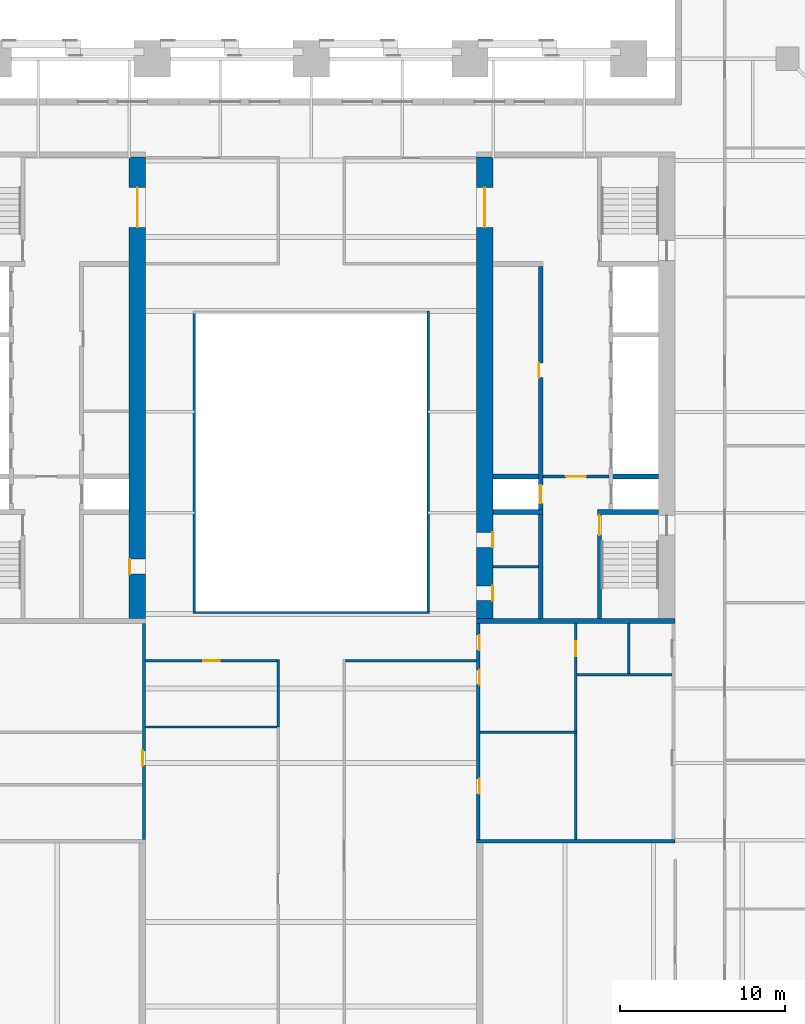
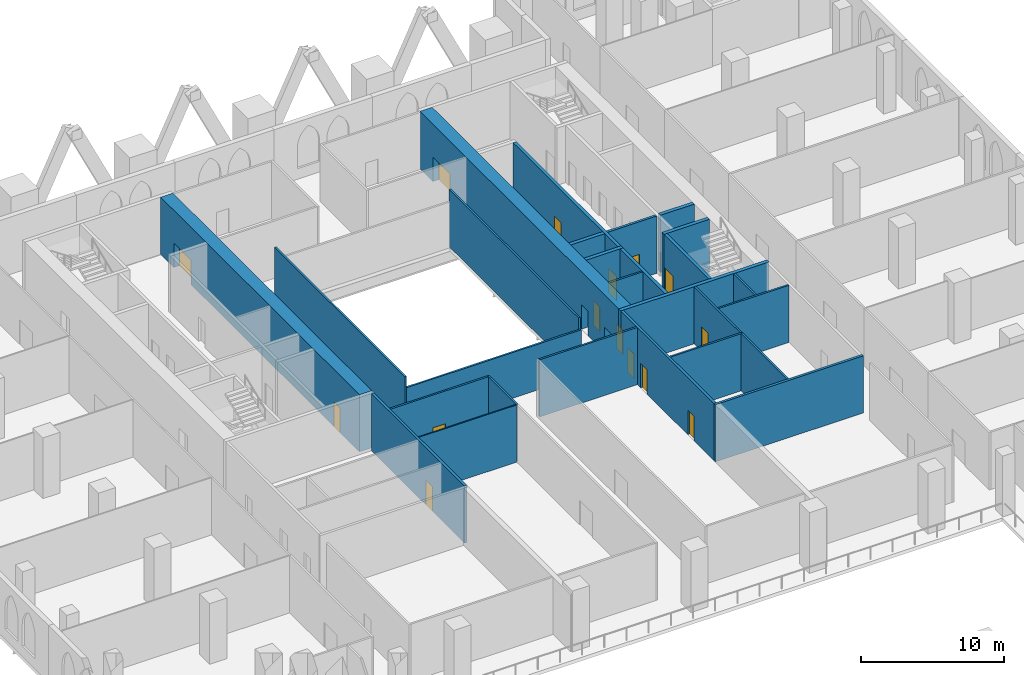
# One storey, part 12 of 22: 25 walls, 15 doors, 15 openings.
"""IFC4 building model written with IfcOpenShell, lengths in metres."""

from ifc_helpers import new_model, si_unit, direction, frame, frame_2d, origin, place, context, subcontext, project, spatial, rectangle, extrude, material, layer, layer_set, type_object, element, fill, save


model = new_model("IFC4")

# Units and contexts
model_context = context("Model", 3, precision=1e-05, world=origin(), true_north=direction((0.0, 1.0)))
body_context = subcontext(model_context, "Body", "Model", "MODEL_VIEW")
ifc_project = project(units=[si_unit("LENGTHUNIT", "METRE"), si_unit("AREAUNIT", "SQUARE_METRE"), si_unit("VOLUMEUNIT", "CUBIC_METRE"), si_unit("PLANEANGLEUNIT", "RADIAN"), si_unit("MASSUNIT", "GRAM", prefix="KILO")], contexts=[model_context])

# Site, building, storey
site_placement = place(None, origin())
site = spatial("IfcSite", under=ifc_project, at=site_placement, CompositionType="ELEMENT")
building_placement = place(site_placement, origin())
building = spatial("IfcBuilding", under=site, at=building_placement, Name="Ogive Exchange Tower", CompositionType="ELEMENT")
storey_placement = place(building_placement, frame((0.0, 0.0, 14.0)))
storey = spatial("IfcBuildingStorey", under=building, at=storey_placement, Name="L02", CompositionType="ELEMENT", Elevation=14.0)

# Wall
ifc_material_1 = material(Name="Gypsum board partition")
ifc_layer_1 = layer(ifc_material_1, 0.14990234375)
ifc_layer_set_1 = layer_set([ifc_layer_1], Name="Core room partition 150 gypsum")
wall_type_1 = type_object("IfcWallType", Name="Core room partition 150 gypsum", PredefinedType="PARTITIONING", material=ifc_layer_set_1)
wall_1_placement = place(storey_placement, frame((11.0, 0.699951171875, 0.0), z_axis=(0.0, 0.0, 1.0), x_axis=(1.0, 0.0, 0.0)))
element("IfcWall", 1, at=wall_1_placement, inside=storey, type_object=wall_type_1, Name="E south room partition", PredefinedType="PARTITIONING", context=body_context, shape_type="SweptSolid", body=[
    extrude(rectangle(XDim=2.75, YDim=0.14990234375, at=frame_2d((1.375, 0.0))), origin(), (0.0, 0.0, 1.0), 4.89990234375),
])

# Wall, opening, door
wall_2_placement = place(storey_placement, frame((16.0, -15.800048828125, 0.0), z_axis=(0.0, 0.0, 1.0), x_axis=(0.0, 1.0, 0.0)))
wall_2 = element("IfcWall", 2, at=wall_2_placement, inside=storey, type_object=wall_type_1, Name="E annex S column wall", PredefinedType="PARTITIONING", context=body_context, shape_type="SweptSolid", body=[
    extrude(rectangle(XDim=13.050048828125, YDim=0.14990234375, at=frame_2d((6.52490234375, 0.0))), origin(), (0.0, 0.0, 1.0), 4.89990234375),
])
opening_1_placement = place(wall_2_placement, frame((11.08740234375, 0.0, 0.0)))
opening_1 = element("IfcOpeningElement", 3, at=opening_1_placement, cuts=wall_2, Name="Opening L02-C41", PredefinedType="OPENING", context=body_context, shape_type="SweptSolid", body=[
    extrude(rectangle(XDim=0.89990234375, YDim=2.10009765625, at=frame_2d((0.449951171875, 1.050048828125))), frame((0.0, 0.0849609375, 0.0), z_axis=(0.0, -1.0, 0.0), x_axis=(1.0, 0.0, 0.0)), (0.0, 0.0, 1.0), 0.169921875),
])
ifc_material_2 = material(Name="Timber fire door", Category="wood")
door_type_1 = type_object("IfcDoorType", Name="Core room door FD30S 900 x 2100", OperationType="NOTDEFINED", PredefinedType="DOOR", material=ifc_material_2)
door_1_placement = place(opening_1_placement, frame((0.89990234375, 0.0, 0.0), z_axis=(0.0, 0.0, 1.0), x_axis=(-1.0, 0.0, 0.0)))
door_1 = element("IfcDoor", 4, at=door_1_placement, inside=storey, type_object=door_type_1, Name="Core room door", ObjectType="CD6", OperationType="SINGLE_SWING_RIGHT", OverallHeight=2.10009765625, OverallWidth=0.89990234375, PredefinedType="DOOR", context=body_context, shape_type="SweptSolid", body=[
    extrude(rectangle(XDim=0.89990234375, YDim=2.10009765625, at=frame_2d((0.449951171875, 1.050048828125))), frame((0.0, 0.02490234375, 0.0), z_axis=(0.0, -1.0, 0.0), x_axis=(1.0, 0.0, 0.0)), (0.0, 0.0, 1.0), 0.050048828125),
])
fill(opening_1, door_1)

# Walls
wall_3_placement = place(storey_placement, frame((10.199951171875, -9.300048828125, 0.0), z_axis=(0.0, 0.0, 1.0), x_axis=(1.0, 0.0, 0.0)))
element("IfcWall", 5, at=wall_3_placement, inside=storey, type_object=wall_type_1, Name="E annex S cross wall", PredefinedType="PARTITIONING", context=body_context, shape_type="SweptSolid", body=[
    extrude(rectangle(XDim=5.800048828125, YDim=0.14990234375, at=frame_2d((2.89990234375, 0.0))), origin(), (0.0, 0.0, 1.0), 4.89990234375),
])
wall_4_placement = place(storey_placement, frame((16.074951171875, -5.85009765625, 0.0), z_axis=(0.0, 0.0, 1.0), x_axis=(1.0, 0.0, 0.0)))
element("IfcWall", 6, at=wall_4_placement, inside=storey, type_object=wall_type_1, Name="E annex S wc strip wall 00", PredefinedType="PARTITIONING", context=body_context, shape_type="SweptSolid", body=[
    extrude(rectangle(XDim=5.72509765625, YDim=0.14990234375, at=frame_2d((2.862548828125, 0.0))), origin(), (0.0, 0.0, 1.0), 4.89990234375),
])
wall_5_placement = place(storey_placement, frame((19.199951171875, -5.77490234375, 0.0), z_axis=(0.0, 0.0, 1.0), x_axis=(0.0, 1.0, 0.0)))
element("IfcWall", 7, at=wall_5_placement, inside=storey, type_object=wall_type_1, Name="E annex S wc partition 00", PredefinedType="PARTITIONING", context=body_context, shape_type="SweptSolid", body=[
    extrude(rectangle(XDim=3.02490234375, YDim=0.14990234375, at=frame_2d((1.512451171875, 0.0))), origin(), (0.0, 0.0, 1.0), 4.89990234375),
])

# Wall, opening, door
ifc_material_3 = material(Name="Fire partition EI 60 150")
ifc_layer_2 = layer(ifc_material_3, 0.14990234375)
ifc_layer_set_2 = layer_set([ifc_layer_2], Name="Fire partition EI 60 150")
wall_type_2 = type_object("IfcWallType", Name="Fire partition EI 60 150", PredefinedType="PARTITIONING", material=ifc_layer_set_2)
wall_6_placement = place(storey_placement, frame((-10.0, -5.0, 0.0), z_axis=(0.0, 0.0, 1.0), x_axis=(1.0, 0.0, 0.0)))
wall_6 = element("IfcWall", 8, at=wall_6_placement, inside=storey, type_object=wall_type_2, Name="L02-PWL-021", PredefinedType="PARTITIONING", context=body_context, shape_type="SweptSolid", body=[
    extrude(rectangle(XDim=7.925048828125, YDim=0.14990234375, at=frame_2d((3.96240234375, 0.0))), origin(), (0.0, 0.0, 1.0), 4.89990234375),
])
opening_2_placement = place(wall_6_placement, frame((3.46240234375, 0.0, 0.0)))
opening_2 = element("IfcOpeningElement", 9, at=opening_2_placement, cuts=wall_6, Name="Opening L02-I21", PredefinedType="OPENING", context=body_context, shape_type="SweptSolid", body=[
    extrude(rectangle(XDim=1.0, YDim=2.10009765625, at=frame_2d((0.5, 1.050048828125))), frame((0.0, 0.0849609375, 0.0), z_axis=(0.0, -1.0, 0.0), x_axis=(1.0, 0.0, 0.0)), (0.0, 0.0, 1.0), 0.169921875),
])
ifc_material_4 = material(Name="Fire door FD 30S 1000 x 2100")
door_type_2 = type_object("IfcDoorType", Name="Fire door FD 30S 1000 x 2100", OperationType="NOTDEFINED", PredefinedType="DOOR", material=ifc_material_4)
door_2_placement = place(opening_2_placement, frame((1.0, 0.0, 0.0), z_axis=(0.0, 0.0, 1.0), x_axis=(-1.0, 0.0, 0.0)))
door_2 = element("IfcDoor", 10, at=door_2_placement, inside=storey, type_object=door_type_2, Name="L02-IDR-021", ObjectType="DT3", OperationType="SINGLE_SWING_RIGHT", OverallHeight=2.10009765625, OverallWidth=1.0, PredefinedType="DOOR", context=body_context, shape_type="SweptSolid", body=[
    extrude(rectangle(XDim=1.0, YDim=2.10009765625, at=frame_2d((0.5, 1.050048828125))), frame((0.0, 0.02490234375, 0.0), z_axis=(0.0, -1.0, 0.0), x_axis=(1.0, 0.0, 0.0)), (0.0, 0.0, 1.0), 0.050048828125),
])
fill(opening_2, door_2)

# Walls
wall_7_placement = place(storey_placement, frame((2.074951171875, -5.0, 0.0), z_axis=(0.0, 0.0, 1.0), x_axis=(1.0, 0.0, 0.0)))
element("IfcWall", 11, at=wall_7_placement, inside=storey, type_object=wall_type_2, Name="L02-PWL-022", PredefinedType="PARTITIONING", context=body_context, shape_type="SweptSolid", body=[
    extrude(rectangle(XDim=7.925048828125, YDim=0.14990234375, at=frame_2d((3.96240234375, 0.0))), origin(), (0.0, 0.0, 1.0), 4.89990234375),
])
wall_8_placement = place(storey_placement, frame((-2.0, -9.0, 0.0), z_axis=(0.0, 0.0, 1.0), x_axis=(0.0, 1.0, 0.0)))
element("IfcWall", 12, at=wall_8_placement, inside=storey, type_object=wall_type_2, Name="L02-PWL-049", PredefinedType="PARTITIONING", context=body_context, shape_type="SweptSolid", body=[
    extrude(rectangle(XDim=4.074951171875, YDim=0.14990234375, at=frame_2d((2.03759765625, 0.0))), origin(), (0.0, 0.0, 1.0), 4.89990234375),
])
ifc_material_5 = material(Name="Fire-resisting glass in steel frame", Category="steel")
ifc_layer_3 = layer(ifc_material_5, 0.14990234375)
ifc_layer_set_3 = layer_set([ifc_layer_3], Name="Fire-rated glazed wall 150")
wall_type_3 = type_object("IfcWallType", Name="Fire-rated glazed wall 150", PredefinedType="STANDARD", material=ifc_layer_set_3)
wall_9_placement = place(storey_placement, frame((-7.074951171875, -2.14990234375, 0.0), z_axis=(0.0, 0.0, 1.0), x_axis=(0.0, 1.0, 0.0)))
element("IfcWall", 13, at=wall_9_placement, inside=storey, type_object=wall_type_3, Name="Nave enclosure wall 1", PredefinedType="STANDARD", context=body_context, shape_type="SweptSolid", body=[
    extrude(rectangle(XDim=18.2998046875, YDim=0.14990234375, at=frame_2d((9.14990234375, 0.0))), origin(), (0.0, 0.0, 1.0), 4.89990234375),
])
wall_10_placement = place(storey_placement, frame((7.074951171875, 16.14990234375, 0.0), z_axis=(0.0, 0.0, 1.0), x_axis=(0.0, -1.0, 0.0)))
element("IfcWall", 14, at=wall_10_placement, inside=storey, type_object=wall_type_3, Name="Nave enclosure wall 3", PredefinedType="STANDARD", context=body_context, shape_type="SweptSolid", body=[
    extrude(rectangle(XDim=18.14990234375, YDim=0.14990234375, at=frame_2d((9.074951171875, 0.0))), origin(), (0.0, 0.0, 1.0), 4.89990234375),
])
wall_11_placement = place(storey_placement, frame((7.14990234375, -2.074951171875, 0.0), z_axis=(0.0, 0.0, 1.0), x_axis=(-1.0, 0.0, 0.0)))
element("IfcWall", 15, at=wall_11_placement, inside=storey, type_object=wall_type_3, Name="Nave enclosure wall 4", PredefinedType="STANDARD", context=body_context, shape_type="SweptSolid", body=[
    extrude(rectangle(XDim=14.14990234375, YDim=0.14990234375, at=frame_2d((7.074951171875, 0.0))), origin(), (0.0, 0.0, 1.0), 3.919921875),
])
ifc_material_6 = material(Name="Partition 100 gypsum")
ifc_layer_4 = layer(ifc_material_6, 0.10009765625)
ifc_layer_set_4 = layer_set([ifc_layer_4], Name="Partition 100 gypsum")
wall_type_4 = type_object("IfcWallType", Name="Partition 100 gypsum", PredefinedType="PARTITIONING", material=ifc_layer_set_4)
wall_12_placement = place(storey_placement, frame((-10.0, -9.0, 0.0), z_axis=(0.0, 0.0, 1.0), x_axis=(1.0, 0.0, 0.0)))
element("IfcWall", 16, at=wall_12_placement, inside=storey, type_object=wall_type_4, Name="L02-PWL-019", PredefinedType="PARTITIONING", context=body_context, shape_type="SweptSolid", body=[
    extrude(rectangle(XDim=7.925048828125, YDim=0.10009765625, at=frame_2d((3.96240234375, 0.0))), origin(), (0.0, 0.0, 1.0), 4.89990234375),
])

# Wall, openings, doors
ifc_material_7 = material(Name="Concrete C70/85", Category="concrete")
ifc_layer_5 = layer(ifc_material_7, 1.0)
ifc_layer_set_5 = layer_set([ifc_layer_5], Name="RC core wall 1000 C70/85")
wall_type_5 = type_object("IfcWallType", Name="RC core wall 1000 C70/85", PredefinedType="SHEAR", material=ifc_layer_set_5)
wall_13_placement = place(storey_placement, frame((-10.5, -2.449951171875, 0.0), z_axis=(0.0, 0.0, 1.0), x_axis=(0.0, 1.0, 0.0)))
wall_13 = element("IfcWall", 17, at=wall_13_placement, inside=storey, type_object=wall_type_5, Name="W inner wall", PredefinedType="SHEAR", context=body_context, shape_type="SweptSolid", body=[
    extrude(rectangle(XDim=27.89990234375, YDim=1.0, at=frame_2d((13.949951171875, 0.0))), origin(), (0.0, 0.0, 1.0), 4.89990234375),
])
opening_3_placement = place(wall_13_placement, frame((23.64990234375, 0.0, 0.0)))
opening_3 = element("IfcOpeningElement", 18, at=opening_3_placement, cuts=wall_13, Name="Opening L02-C12", PredefinedType="OPENING", context=body_context, shape_type="SweptSolid", body=[
    extrude(rectangle(XDim=2.39990234375, YDim=2.10009765625, at=frame_2d((1.199951171875, 1.050048828125))), frame((0.0, 0.510009765625, 0.0), z_axis=(0.0, -1.0, 0.0), x_axis=(1.0, 0.0, 0.0)), (0.0, 0.0, 1.0), 1.02001953125),
])
opening_4_placement = place(wall_13_placement, frame((2.699951171875, 0.0, 0.0)))
opening_4 = element("IfcOpeningElement", 19, at=opening_4_placement, cuts=wall_13, Name="Opening L02-C17", PredefinedType="OPENING", context=body_context, shape_type="SweptSolid", body=[
    extrude(rectangle(XDim=0.89990234375, YDim=2.10009765625, at=frame_2d((0.449951171875, 1.050048828125))), frame((0.0, 0.510009765625, 0.0), z_axis=(0.0, -1.0, 0.0), x_axis=(1.0, 0.0, 0.0)), (0.0, 0.0, 1.0), 1.02001953125),
])
door_3_placement = place(opening_4_placement, origin())
door_3 = element("IfcDoor", 20, at=door_3_placement, inside=storey, type_object=door_type_1, Name="Core room door", ObjectType="CD6", OperationType="SINGLE_SWING_LEFT", OverallHeight=2.10009765625, OverallWidth=0.89990234375, PredefinedType="DOOR", context=body_context, shape_type="SweptSolid", body=[
    extrude(rectangle(XDim=0.89990234375, YDim=2.10009765625, at=frame_2d((0.449951171875, 1.050048828125))), frame((0.0, 0.5, 0.0), z_axis=(0.0, -1.0, 0.0), x_axis=(1.0, 0.0, 0.0)), (0.0, 0.0, 1.0), 0.050048828125),
])
fill(opening_4, door_3)
ifc_material_8 = material(Name="Glazed steel fire door", Category="steel")
door_type_3 = type_object("IfcDoorType", Name="Lift lobby double door FD60 2400 x 2100", OperationType="DOUBLE_DOOR_SINGLE_SWING", PredefinedType="DOOR", material=ifc_material_8)
door_4_placement = place(opening_3_placement, frame((2.39990234375, 0.0, 0.0), z_axis=(0.0, 0.0, 1.0), x_axis=(-1.0, 0.0, 0.0)))
door_4 = element("IfcDoor", 21, at=door_4_placement, inside=storey, type_object=door_type_3, Name="Lift lobby double door", ObjectType="CD4", OperationType="DOUBLE_DOOR_SINGLE_SWING", OverallHeight=2.10009765625, OverallWidth=2.39990234375, PredefinedType="DOOR", context=body_context, shape_type="SweptSolid", body=[
    extrude(rectangle(XDim=2.39990234375, YDim=2.10009765625, at=frame_2d((1.199951171875, 1.050048828125))), frame((0.0, 0.02490234375, 0.0), z_axis=(0.0, -1.0, 0.0), x_axis=(1.0, 0.0, 0.0)), (0.0, 0.0, 1.0), 0.050048828125),
])
fill(opening_3, door_4)

wall_14_placement = place(storey_placement, frame((10.5, -2.449951171875, 0.0), z_axis=(0.0, 0.0, 1.0), x_axis=(0.0, 1.0, 0.0)))
wall_14 = element("IfcWall", 22, at=wall_14_placement, inside=storey, type_object=wall_type_5, Name="E inner wall", PredefinedType="SHEAR", context=body_context, shape_type="SweptSolid", body=[
    extrude(rectangle(XDim=27.89990234375, YDim=1.0, at=frame_2d((13.949951171875, 0.0))), origin(), (0.0, 0.0, 1.0), 4.89990234375),
])
opening_5_placement = place(wall_14_placement, frame((23.64990234375, 0.0, 0.0)))
opening_5 = element("IfcOpeningElement", 23, at=opening_5_placement, cuts=wall_14, Name="Opening L02-C32", PredefinedType="OPENING", context=body_context, shape_type="SweptSolid", body=[
    extrude(rectangle(XDim=2.39990234375, YDim=2.10009765625, at=frame_2d((1.199951171875, 1.050048828125))), frame((0.0, 0.510009765625, 0.0), z_axis=(0.0, -1.0, 0.0), x_axis=(1.0, 0.0, 0.0)), (0.0, 0.0, 1.0), 1.02001953125),
])
opening_6_placement = place(wall_14_placement, frame((1.08740234375, 0.0, 0.0)))
opening_6 = element("IfcOpeningElement", 24, at=opening_6_placement, cuts=wall_14, Name="Opening L02-C37", PredefinedType="OPENING", context=body_context, shape_type="SweptSolid", body=[
    extrude(rectangle(XDim=0.89990234375, YDim=2.10009765625, at=frame_2d((0.449951171875, 1.050048828125))), frame((0.0, 0.510009765625, 0.0), z_axis=(0.0, -1.0, 0.0), x_axis=(1.0, 0.0, 0.0)), (0.0, 0.0, 1.0), 1.02001953125),
])
opening_7_placement = place(wall_14_placement, frame((4.3125, 0.0, 0.0)))
opening_7 = element("IfcOpeningElement", 25, at=opening_7_placement, cuts=wall_14, Name="Opening L02-C38", PredefinedType="OPENING", context=body_context, shape_type="SweptSolid", body=[
    extrude(rectangle(XDim=0.89990234375, YDim=2.10009765625, at=frame_2d((0.449951171875, 1.050048828125))), frame((0.0, 0.510009765625, 0.0), z_axis=(0.0, -1.0, 0.0), x_axis=(1.0, 0.0, 0.0)), (0.0, 0.0, 1.0), 1.02001953125),
])
door_5_placement = place(opening_6_placement, frame((0.89990234375, -0.9501953125, 0.0), z_axis=(0.0, 0.0, 1.0), x_axis=(-1.0, 0.0, 0.0)))
door_5 = element("IfcDoor", 26, at=door_5_placement, inside=storey, type_object=door_type_1, Name="Core room door", ObjectType="CD6", OperationType="SINGLE_SWING_RIGHT", OverallHeight=2.10009765625, OverallWidth=0.89990234375, PredefinedType="DOOR", context=body_context, shape_type="SweptSolid", body=[
    extrude(rectangle(XDim=0.89990234375, YDim=2.10009765625, at=frame_2d((0.449951171875, 1.050048828125))), frame((0.0, -0.4501953125, 0.0), z_axis=(0.0, -1.0, 0.0), x_axis=(1.0, 0.0, 0.0)), (0.0, 0.0, 1.0), 0.050048828125),
])
fill(opening_6, door_5)
door_6_placement = place(opening_5_placement, origin())
door_6 = element("IfcDoor", 27, at=door_6_placement, inside=storey, type_object=door_type_3, Name="Lift lobby double door", ObjectType="CD4", OperationType="DOUBLE_DOOR_SINGLE_SWING", OverallHeight=2.10009765625, OverallWidth=2.39990234375, PredefinedType="DOOR", context=body_context, shape_type="SweptSolid", body=[
    extrude(rectangle(XDim=2.39990234375, YDim=2.10009765625, at=frame_2d((1.199951171875, 1.050048828125))), frame((0.0, 0.02490234375, 0.0), z_axis=(0.0, -1.0, 0.0), x_axis=(1.0, 0.0, 0.0)), (0.0, 0.0, 1.0), 0.050048828125),
])
fill(opening_5, door_6)
ifc_material_9 = material(Name="Steel fire door", Category="steel")
door_type_4 = type_object("IfcDoorType", Name="Riser door FD60 900 x 2100", OperationType="NOTDEFINED", PredefinedType="DOOR", material=ifc_material_9)
door_7_placement = place(opening_7_placement, frame((0.89990234375, -0.9501953125, 0.0), z_axis=(0.0, 0.0, 1.0), x_axis=(-1.0, 0.0, 0.0)))
door_7 = element("IfcDoor", 28, at=door_7_placement, inside=storey, type_object=door_type_4, Name="Riser door", ObjectType="CD2", OperationType="SINGLE_SWING_LEFT", OverallHeight=2.10009765625, OverallWidth=0.89990234375, PredefinedType="DOOR", context=body_context, shape_type="SweptSolid", body=[
    extrude(rectangle(XDim=0.89990234375, YDim=2.10009765625, at=frame_2d((0.449951171875, 1.050048828125))), frame((0.0, -0.4501953125, 0.0), z_axis=(0.0, -1.0, 0.0), x_axis=(1.0, 0.0, 0.0)), (0.0, 0.0, 1.0), 0.050048828125),
])
fill(opening_7, door_7)

# Wall, opening, door
ifc_layer_6 = layer(ifc_material_7, 0.199951171875)
ifc_layer_set_6 = layer_set([ifc_layer_6], Name="RC core wall 200 C70/85")
wall_type_6 = type_object("IfcWallType", Name="RC core wall 200 C70/85", PredefinedType="SHEAR", material=ifc_layer_set_6)
wall_15_placement = place(storey_placement, frame((-10.10009765625, -15.800048828125, 0.0), z_axis=(0.0, 0.0, 1.0), x_axis=(0.0, 1.0, 0.0)))
wall_15 = element("IfcWall", 29, at=wall_15_placement, inside=storey, type_object=wall_type_6, Name="W annex S inner wall", PredefinedType="SHEAR", context=body_context, shape_type="SweptSolid", body=[
    extrude(rectangle(XDim=13.050048828125, YDim=0.199951171875, at=frame_2d((6.52490234375, 0.0))), origin(), (0.0, 0.0, 1.0), 4.89990234375),
])
opening_8_placement = place(wall_15_placement, frame((4.46240234375, 0.0, 0.0)))
opening_8 = element("IfcOpeningElement", 30, at=opening_8_placement, cuts=wall_15, Name="Opening L02-C20", PredefinedType="OPENING", context=body_context, shape_type="SweptSolid", body=[
    extrude(rectangle(XDim=0.89990234375, YDim=2.10009765625, at=frame_2d((0.449951171875, 1.050048828125))), frame((0.0, 0.10986328125, 0.0), z_axis=(0.0, -1.0, 0.0), x_axis=(1.0, 0.0, 0.0)), (0.0, 0.0, 1.0), 0.219970703125),
])
door_8_placement = place(opening_8_placement, origin())
door_8 = element("IfcDoor", 31, at=door_8_placement, inside=storey, type_object=door_type_4, Name="Riser door", ObjectType="CD2", OperationType="SINGLE_SWING_LEFT", OverallHeight=2.10009765625, OverallWidth=0.89990234375, PredefinedType="DOOR", context=body_context, shape_type="SweptSolid", body=[
    extrude(rectangle(XDim=0.89990234375, YDim=2.10009765625, at=frame_2d((0.449951171875, 1.050048828125))), frame((0.0, 0.10009765625, 0.0), z_axis=(0.0, -1.0, 0.0), x_axis=(1.0, 0.0, 0.0)), (0.0, 0.0, 1.0), 0.050048828125),
])
fill(opening_8, door_8)

wall_16_placement = place(storey_placement, frame((14.0, 6.142822265625, 0.0), z_axis=(0.0, 0.0, 1.0), x_axis=(1.0, 0.0, 0.0)))
wall_16 = element("IfcWall", 32, at=wall_16_placement, inside=storey, type_object=wall_type_6, Name="E firefighting lobby wall", PredefinedType="SHEAR", context=body_context, shape_type="SweptSolid", body=[
    extrude(rectangle(XDim=4.0, YDim=0.199951171875, at=frame_2d((2.0, 0.0))), origin(), (0.0, 0.0, 1.0), 4.89990234375),
])
opening_9_placement = place(wall_16_placement, frame((1.39990234375, 0.0, 0.0)))
opening_9 = element("IfcOpeningElement", 33, at=opening_9_placement, cuts=wall_16, Name="Opening L02-C31", PredefinedType="OPENING", context=body_context, shape_type="SweptSolid", body=[
    extrude(rectangle(XDim=1.199951171875, YDim=2.10009765625, at=frame_2d((0.60009765625, 1.050048828125))), frame((0.0, 0.10986328125, 0.0), z_axis=(0.0, -1.0, 0.0), x_axis=(1.0, 0.0, 0.0)), (0.0, 0.0, 1.0), 0.219970703125),
])
door_type_5 = type_object("IfcDoorType", Name="Firefighting lobby door FD60 1200 x 2100", OperationType="NOTDEFINED", PredefinedType="DOOR", material=ifc_material_9)
door_9_placement = place(opening_9_placement, frame((1.199951171875, 0.0, 0.0), z_axis=(0.0, 0.0, 1.0), x_axis=(-1.0, 0.0, 0.0)))
door_9 = element("IfcDoor", 34, at=door_9_placement, inside=storey, type_object=door_type_5, Name="Firefighting lobby door", ObjectType="CD3", OperationType="SINGLE_SWING_LEFT", OverallHeight=2.10009765625, OverallWidth=1.199951171875, PredefinedType="DOOR", context=body_context, shape_type="SweptSolid", body=[
    extrude(rectangle(XDim=1.199951171875, YDim=2.10009765625, at=frame_2d((0.60009765625, 1.050048828125))), frame((0.0, 0.02490234375, 0.0), z_axis=(0.0, -1.0, 0.0), x_axis=(1.0, 0.0, 0.0)), (0.0, 0.0, 1.0), 0.050048828125),
])
fill(opening_9, door_9)

# Wall, openings, doors
wall_17_placement = place(storey_placement, frame((10.10009765625, -15.800048828125, 0.0), z_axis=(0.0, 0.0, 1.0), x_axis=(0.0, 1.0, 0.0)))
wall_17 = element("IfcWall", 35, at=wall_17_placement, inside=storey, type_object=wall_type_6, Name="E annex S inner wall", PredefinedType="SHEAR", context=body_context, shape_type="SweptSolid", body=[
    extrude(rectangle(XDim=13.050048828125, YDim=0.199951171875, at=frame_2d((6.52490234375, 0.0))), origin(), (0.0, 0.0, 1.0), 4.89990234375),
])
opening_10_placement = place(wall_17_placement, frame((2.762451171875, 0.0, 0.0)))
opening_10 = element("IfcOpeningElement", 36, at=opening_10_placement, cuts=wall_17, Name="Opening L02-C42", PredefinedType="OPENING", context=body_context, shape_type="SweptSolid", body=[
    extrude(rectangle(XDim=0.89990234375, YDim=2.10009765625, at=frame_2d((0.449951171875, 1.050048828125))), frame((0.0, 0.10986328125, 0.0), z_axis=(0.0, -1.0, 0.0), x_axis=(1.0, 0.0, 0.0)), (0.0, 0.0, 1.0), 0.219970703125),
])
opening_11_placement = place(wall_17_placement, frame((9.362548828125, 0.0, 0.0)))
opening_11 = element("IfcOpeningElement", 37, at=opening_11_placement, cuts=wall_17, Name="Opening L02-C43", PredefinedType="OPENING", context=body_context, shape_type="SweptSolid", body=[
    extrude(rectangle(XDim=0.89990234375, YDim=2.10009765625, at=frame_2d((0.449951171875, 1.050048828125))), frame((0.0, 0.10986328125, 0.0), z_axis=(0.0, -1.0, 0.0), x_axis=(1.0, 0.0, 0.0)), (0.0, 0.0, 1.0), 0.219970703125),
])
opening_12_placement = place(wall_17_placement, frame((11.449951171875, 0.0, 0.0)))
opening_12 = element("IfcOpeningElement", 38, at=opening_12_placement, cuts=wall_17, Name="Opening L02-C52", PredefinedType="OPENING", context=body_context, shape_type="SweptSolid", body=[
    extrude(rectangle(XDim=0.89990234375, YDim=2.10009765625, at=frame_2d((0.449951171875, 1.050048828125))), frame((0.0, 0.10986328125, 0.0), z_axis=(0.0, -1.0, 0.0), x_axis=(1.0, 0.0, 0.0)), (0.0, 0.0, 1.0), 0.219970703125),
])
door_10_placement = place(opening_10_placement, frame((0.89990234375, -0.14990234375, 0.0), z_axis=(0.0, 0.0, 1.0), x_axis=(-1.0, 0.0, 0.0)))
door_10 = element("IfcDoor", 39, at=door_10_placement, inside=storey, type_object=door_type_4, Name="Riser door", ObjectType="CD2", OperationType="SINGLE_SWING_RIGHT", OverallHeight=2.10009765625, OverallWidth=0.89990234375, PredefinedType="DOOR", context=body_context, shape_type="SweptSolid", body=[
    extrude(rectangle(XDim=0.89990234375, YDim=2.10009765625, at=frame_2d((0.449951171875, 1.050048828125))), frame((0.0, -0.0498046875, 0.0), z_axis=(0.0, -1.0, 0.0), x_axis=(1.0, 0.0, 0.0)), (0.0, 0.0, 1.0), 0.050048828125),
])
fill(opening_10, door_10)
door_11_placement = place(opening_11_placement, frame((0.89990234375, -0.14990234375, 0.0), z_axis=(0.0, 0.0, 1.0), x_axis=(-1.0, 0.0, 0.0)))
door_11 = element("IfcDoor", 40, at=door_11_placement, inside=storey, type_object=door_type_4, Name="Riser door", ObjectType="CD2", OperationType="SINGLE_SWING_RIGHT", OverallHeight=2.10009765625, OverallWidth=0.89990234375, PredefinedType="DOOR", context=body_context, shape_type="SweptSolid", body=[
    extrude(rectangle(XDim=0.89990234375, YDim=2.10009765625, at=frame_2d((0.449951171875, 1.050048828125))), frame((0.0, -0.0498046875, 0.0), z_axis=(0.0, -1.0, 0.0), x_axis=(1.0, 0.0, 0.0)), (0.0, 0.0, 1.0), 0.050048828125),
])
fill(opening_11, door_11)
door_12_placement = place(opening_12_placement, frame((0.89990234375, -0.14990234375, 0.0), z_axis=(0.0, 0.0, 1.0), x_axis=(-1.0, 0.0, 0.0)))
door_12 = element("IfcDoor", 41, at=door_12_placement, inside=storey, type_object=door_type_4, Name="Riser door", ObjectType="CD2", OperationType="SINGLE_SWING_RIGHT", OverallHeight=2.10009765625, OverallWidth=0.89990234375, PredefinedType="DOOR", context=body_context, shape_type="SweptSolid", body=[
    extrude(rectangle(XDim=0.89990234375, YDim=2.10009765625, at=frame_2d((0.449951171875, 1.050048828125))), frame((0.0, -0.0498046875, 0.0), z_axis=(0.0, -1.0, 0.0), x_axis=(1.0, 0.0, 0.0)), (0.0, 0.0, 1.0), 0.050048828125),
])
fill(opening_12, door_12)

# Wall
wall_18_placement = place(storey_placement, frame((10.0, -15.89990234375, 0.0), z_axis=(0.0, 0.0, 1.0), x_axis=(1.0, 0.0, 0.0)))
element("IfcWall", 42, at=wall_18_placement, inside=storey, type_object=wall_type_6, Name="E annex S end wall", PredefinedType="SHEAR", context=body_context, shape_type="SweptSolid", body=[
    extrude(rectangle(XDim=12.0, YDim=0.199951171875, at=frame_2d((6.0, 0.0))), origin(), (0.0, 0.0, 1.0), 4.89990234375),
])

# Wall, opening, door
ifc_layer_7 = layer(ifc_material_7, 0.25)
ifc_layer_set_7 = layer_set([ifc_layer_7], Name="RC core wall 250 C70/85")
wall_type_7 = type_object("IfcWallType", Name="RC core wall 250 C70/85", PredefinedType="SHEAR", material=ifc_layer_set_7)
wall_19_placement = place(storey_placement, frame((17.425048828125, -2.449951171875, 0.0), z_axis=(0.0, 0.0, 1.0), x_axis=(0.0, 1.0, 0.0)))
wall_19 = element("IfcWall", 43, at=wall_19_placement, inside=storey, type_object=wall_type_7, Name="E stair S front wall", PredefinedType="SHEAR", context=body_context, shape_type="SweptSolid", body=[
    extrude(rectangle(XDim=6.300048828125, YDim=0.25, at=frame_2d((3.14990234375, 0.0))), origin(), (0.0, 0.0, 1.0), 4.89990234375),
])
opening_13_placement = place(wall_19_placement, frame((5.050048828125, 0.0, 0.0)))
opening_13 = element("IfcOpeningElement", 44, at=opening_13_placement, cuts=wall_19, Name="Opening L02-C33", PredefinedType="OPENING", context=body_context, shape_type="SweptSolid", body=[
    extrude(rectangle(XDim=1.199951171875, YDim=2.10009765625, at=frame_2d((0.60009765625, 1.050048828125))), frame((0.0, 0.135009765625, 0.0), z_axis=(0.0, -1.0, 0.0), x_axis=(1.0, 0.0, 0.0)), (0.0, 0.0, 1.0), 0.27001953125),
])
door_type_6 = type_object("IfcDoorType", Name="Stair door FD90 1200 x 2100", OperationType="NOTDEFINED", PredefinedType="DOOR", material=ifc_material_9)
door_13_placement = place(opening_13_placement, frame((1.199951171875, 0.0, 0.0), z_axis=(0.0, 0.0, 1.0), x_axis=(-1.0, 0.0, 0.0)))
door_13 = element("IfcDoor", 45, at=door_13_placement, inside=storey, type_object=door_type_6, Name="Stair door", ObjectType="CD5", OperationType="SINGLE_SWING_RIGHT", OverallHeight=2.10009765625, OverallWidth=1.199951171875, PredefinedType="DOOR", context=body_context, shape_type="SweptSolid", body=[
    extrude(rectangle(XDim=1.199951171875, YDim=2.10009765625, at=frame_2d((0.60009765625, 1.050048828125))), frame((0.0, 0.02490234375, 0.0), z_axis=(0.0, -1.0, 0.0), x_axis=(1.0, 0.0, 0.0)), (0.0, 0.0, 1.0), 0.050048828125),
])
fill(opening_13, door_13)

# Wall, openings, doors
wall_20_placement = place(storey_placement, frame((13.875, -2.449951171875, 0.0), z_axis=(0.0, 0.0, 1.0), x_axis=(0.0, 1.0, 0.0)))
wall_20 = element("IfcWall", 46, at=wall_20_placement, inside=storey, type_object=wall_type_7, Name="E row B front wall", PredefinedType="SHEAR", context=body_context, shape_type="SweptSolid", body=[
    extrude(rectangle(XDim=21.300048828125, YDim=0.25, at=frame_2d((10.64990234375, 0.0))), origin(), (0.0, 0.0, 1.0), 4.89990234375),
])
opening_14_placement = place(wall_20_placement, frame((14.5712890625, 0.0, 0.0)))
opening_14 = element("IfcOpeningElement", 47, at=opening_14_placement, cuts=wall_20, Name="Opening L02-C29", PredefinedType="OPENING", context=body_context, shape_type="SweptSolid", body=[
    extrude(rectangle(XDim=0.89990234375, YDim=2.10009765625, at=frame_2d((0.449951171875, 1.050048828125))), frame((0.0, 0.135009765625, 0.0), z_axis=(0.0, -1.0, 0.0), x_axis=(1.0, 0.0, 0.0)), (0.0, 0.0, 1.0), 0.27001953125),
])
opening_15_placement = place(wall_20_placement, frame((6.971435546875, 0.0, 0.0)))
opening_15 = element("IfcOpeningElement", 48, at=opening_15_placement, cuts=wall_20, Name="Opening L02-C30", PredefinedType="OPENING", context=body_context, shape_type="SweptSolid", body=[
    extrude(rectangle(XDim=1.10009765625, YDim=2.10009765625, at=frame_2d((0.550048828125, 1.050048828125))), frame((0.0, 0.135009765625, 0.0), z_axis=(0.0, -1.0, 0.0), x_axis=(1.0, 0.0, 0.0)), (0.0, 0.0, 1.0), 0.27001953125),
])
ifc_material_10 = material(Name="Stainless steel", Category="steel")
door_type_7 = type_object("IfcDoorType", Name="Lift landing door FD90 1100 x 2100", OperationType="SLIDING_TO_LEFT", PredefinedType="DOOR", material=ifc_material_10)
door_14_placement = place(opening_15_placement, origin())
door_14 = element("IfcDoor", 49, at=door_14_placement, inside=storey, type_object=door_type_7, Name="Lift landing door SV2", ObjectType="LD", OperationType="SLIDING_TO_LEFT", OverallHeight=2.10009765625, OverallWidth=1.10009765625, PredefinedType="DOOR", context=body_context, shape_type="SweptSolid", body=[
    extrude(rectangle(XDim=1.10009765625, YDim=2.10009765625, at=frame_2d((0.550048828125, 1.050048828125))), frame((0.0, 0.02490234375, 0.0), z_axis=(0.0, -1.0, 0.0), x_axis=(1.0, 0.0, 0.0)), (0.0, 0.0, 1.0), 0.050048828125),
])
fill(opening_15, door_14)
door_15_placement = place(opening_14_placement, origin())
door_15 = element("IfcDoor", 50, at=door_15_placement, inside=storey, type_object=door_type_4, Name="Riser door", ObjectType="CD2", OperationType="SINGLE_SWING_LEFT", OverallHeight=2.10009765625, OverallWidth=0.89990234375, PredefinedType="DOOR", context=body_context, shape_type="SweptSolid", body=[
    extrude(rectangle(XDim=0.89990234375, YDim=2.10009765625, at=frame_2d((0.449951171875, 1.050048828125))), frame((0.0, 0.125, 0.0), z_axis=(0.0, -1.0, 0.0), x_axis=(1.0, 0.0, 0.0)), (0.0, 0.0, 1.0), 0.050048828125),
])
fill(opening_14, door_15)

# Walls
ifc_layer_8 = layer(ifc_material_7, 0.300048828125)
ifc_layer_set_8 = layer_set([ifc_layer_8], Name="RC core wall 300 C70/85")
wall_type_8 = type_object("IfcWallType", Name="RC core wall 300 C70/85", PredefinedType="SHEAR", material=ifc_layer_set_8)
wall_21_placement = place(storey_placement, frame((10.0, -2.60009765625, 0.0), z_axis=(0.0, 0.0, 1.0), x_axis=(1.0, 0.0, 0.0)))
element("IfcWall", 51, at=wall_21_placement, inside=storey, type_object=wall_type_8, Name="E south end wall", PredefinedType="SHEAR", context=body_context, shape_type="SweptSolid", body=[
    extrude(rectangle(XDim=12.0, YDim=0.300048828125, at=frame_2d((6.0, 0.0))), origin(), (0.0, 0.0, 1.0), 4.89990234375),
])
wall_22_placement = place(storey_placement, frame((17.300048828125, 4.0, 0.0), z_axis=(0.0, 0.0, 1.0), x_axis=(1.0, 0.0, 0.0)))
element("IfcWall", 52, at=wall_22_placement, inside=storey, type_object=wall_type_8, Name="E stair S north wall", PredefinedType="SHEAR", context=body_context, shape_type="SweptSolid", body=[
    extrude(rectangle(XDim=3.699951171875, YDim=0.300048828125, at=frame_2d((1.85009765625, 0.0))), origin(), (0.0, 0.0, 1.0), 4.89990234375),
])
wall_23_placement = place(storey_placement, frame((18.25, 6.142822265625, 0.0), z_axis=(0.0, 0.0, 1.0), x_axis=(1.0, 0.0, 0.0)))
element("IfcWall", 53, at=wall_23_placement, inside=storey, type_object=wall_type_8, Name="E row A divider 1", PredefinedType="SHEAR", context=body_context, shape_type="SweptSolid", body=[
    extrude(rectangle(XDim=2.75, YDim=0.300048828125, at=frame_2d((1.375, 0.0))), origin(), (0.0, 0.0, 1.0), 4.89990234375),
])
wall_24_placement = place(storey_placement, frame((11.0, 4.0, 0.0), z_axis=(0.0, 0.0, 1.0), x_axis=(1.0, 0.0, 0.0)))
element("IfcWall", 54, at=wall_24_placement, inside=storey, type_object=wall_type_8, Name="E row B divider 0", PredefinedType="SHEAR", context=body_context, shape_type="SweptSolid", body=[
    extrude(rectangle(XDim=3.0, YDim=0.300048828125, at=frame_2d((1.5, 0.0))), origin(), (0.0, 0.0, 1.0), 4.89990234375),
])
wall_25_placement = place(storey_placement, frame((11.0, 6.142822265625, 0.0), z_axis=(0.0, 0.0, 1.0), x_axis=(1.0, 0.0, 0.0)))
element("IfcWall", 55, at=wall_25_placement, inside=storey, type_object=wall_type_8, Name="E row B divider 1", PredefinedType="SHEAR", context=body_context, shape_type="SweptSolid", body=[
    extrude(rectangle(XDim=2.75, YDim=0.300048828125, at=frame_2d((1.375, 0.0))), origin(), (0.0, 0.0, 1.0), 4.89990234375),
])

save(model, "model.ifc")
